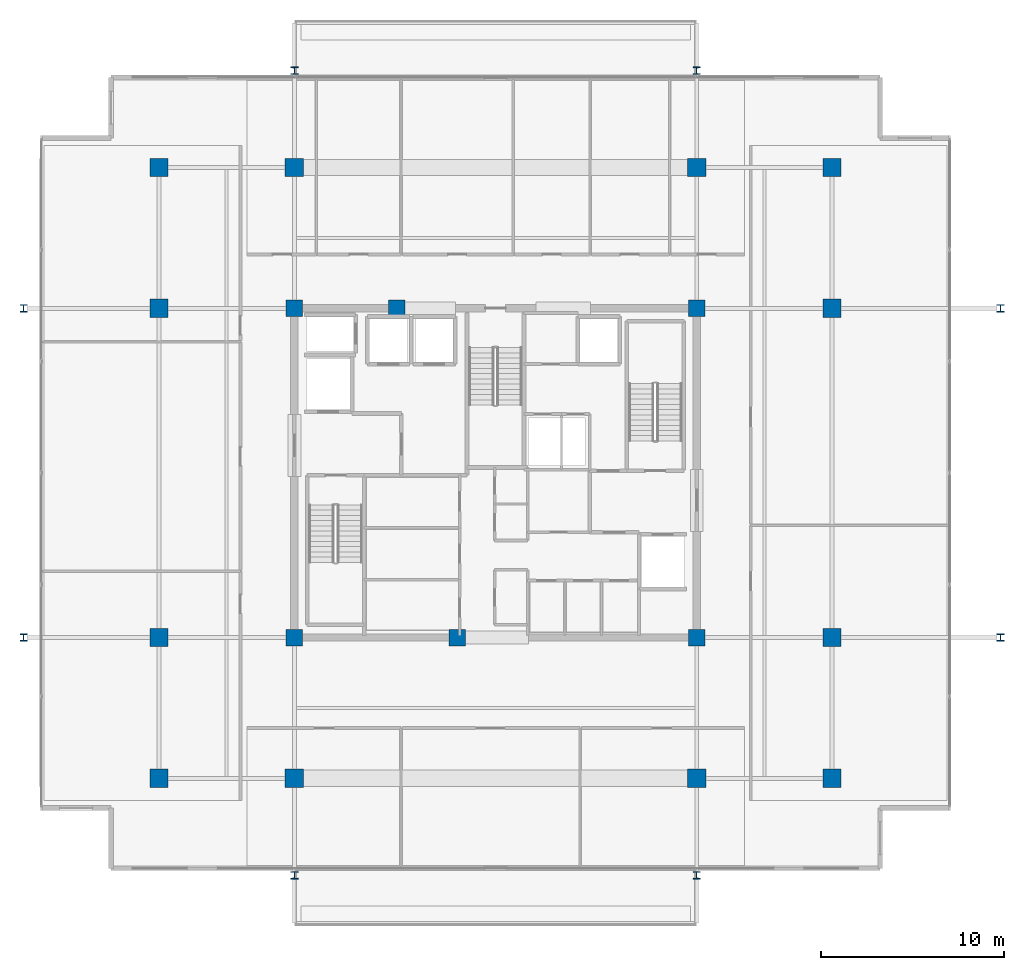
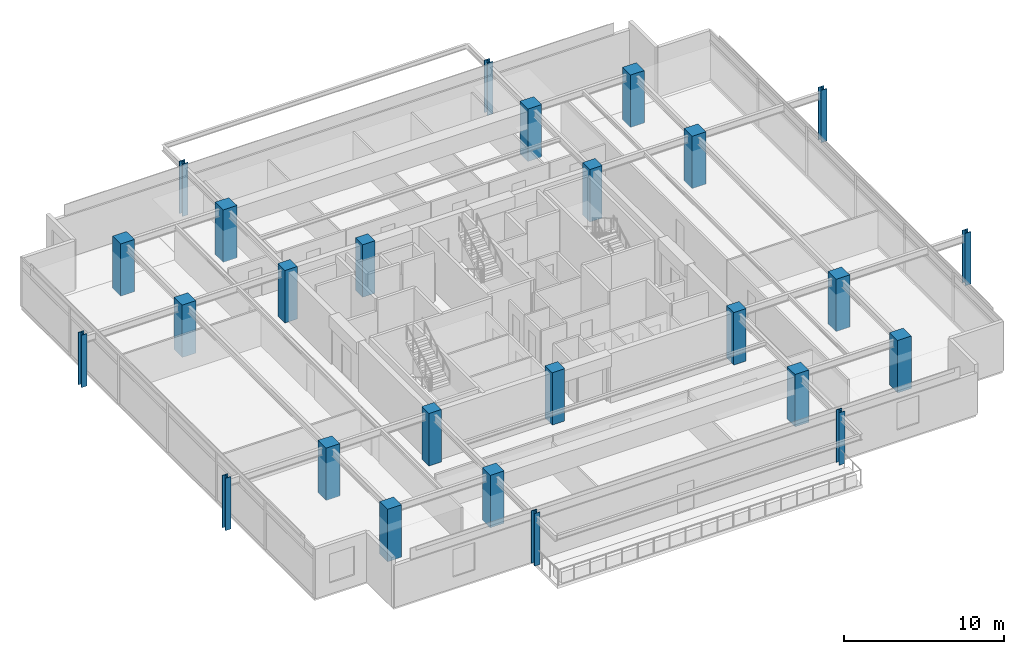
# One storey, part 1 of 20: 26 columns.
"""IFC4 building model written with IfcOpenShell, lengths in metres."""

from ifc_helpers import new_model, si_unit, direction, frame, origin, origin_2d, place, context, subcontext, project, spatial, rectangle, i_section, extrude, material, material_profile, profile_set, type_object, element, save


model = new_model("IFC4")

# Units and contexts
model_context = context("Model", 3, precision=1e-05, world=origin(), true_north=direction((0.0, 1.0)))
body_context = subcontext(model_context, "Body", "Model", "MODEL_VIEW")
ifc_project = project(units=[si_unit("LENGTHUNIT", "METRE"), si_unit("AREAUNIT", "SQUARE_METRE"), si_unit("VOLUMEUNIT", "CUBIC_METRE"), si_unit("PLANEANGLEUNIT", "RADIAN"), si_unit("MASSUNIT", "GRAM", prefix="KILO")], contexts=[model_context])

# Site, building, storey
site_placement = place(None, origin())
site = spatial("IfcSite", under=ifc_project, at=site_placement, CompositionType="ELEMENT")
building_placement = place(site_placement, origin())
building = spatial("IfcBuilding", under=site, at=building_placement, Name="Kovane Verandah Tower", CompositionType="ELEMENT")
storey_placement = place(building_placement, frame((0.0, 0.0, 318.800048828125)))
storey = spatial("IfcBuildingStorey", under=building, at=storey_placement, Name="L74", CompositionType="ELEMENT", Elevation=318.800048828125)

# Columns
ifc_material_1 = material(Name="Concrete C60/75", Category="concrete")
ifc_material_profile_1 = material_profile(ifc_material_1, rectangle(XDim=1.0, YDim=1.0, at=origin_2d()), Name="RC1000x1000")
ifc_profile_set_1 = profile_set([ifc_material_profile_1], Name="Concrete C60/75")
column_type_1 = type_object("IfcColumnType", Name="COL-RC1000", PredefinedType="COLUMN", material=ifc_profile_set_1)
for number, where, z_axis, x_axis, name in (
    (1, (29.0, 10.800048828125, 0.0), (0.0, 0.0, 1.0), (1.0, 0.0, 0.0), "L74 Tower Mega-Column MC-S1"),
    (2, (51.0, 10.800048828125, 0.0), (0.0, 0.0, 1.0), (1.0, 0.0, 0.0), "L74 Tower Mega-Column MC-S2"),
    (3, (29.0, 44.199951171875, 0.0), (0.0, 0.0, 1.0), (1.0, 0.0, 0.0), "L74 Tower Mega-Column MC-N1"),
    (4, (51.0, 44.199951171875, 0.0), (0.0, 0.0, 1.0), (1.0, 0.0, 0.0), "L74 Tower Mega-Column MC-N2"),
    (5, (21.60009765625, 18.5, 0.0), (0.0, 0.0, 1.0), (1.0, 0.0, 0.0), "L74 Tower Mega-Column MC-W1"),
    (6, (21.60009765625, 36.5, 0.0), (0.0, 0.0, 1.0), (1.0, 0.0, 0.0), "L74 Tower Mega-Column MC-W2"),
    (7, (58.39990234375, 18.5, 0.0), (0.0, 0.0, 1.0), (1.0, 0.0, 0.0), "L74 Tower Mega-Column MC-E1"),
    (8, (58.39990234375, 36.5, 0.0), (0.0, 0.0, 1.0), (1.0, 0.0, 0.0), "L74 Tower Mega-Column MC-E2"),
    (9, (21.60009765625, 10.800048828125, 0.0), (0.0, 0.0, 1.0), (1.0, 0.0, 0.0), "L74 Tower Mega-Column MC-SW"),
    (10, (58.39990234375, 10.800048828125, 0.0), (0.0, 0.0, 1.0), (1.0, 0.0, 0.0), "L74 Tower Mega-Column MC-SE"),
    (11, (21.60009765625, 44.199951171875, 0.0), (0.0, 0.0, 1.0), (1.0, 0.0, 0.0), "L74 Tower Mega-Column MC-NW"),
    (12, (58.39990234375, 44.199951171875, 0.0), (0.0, 0.0, 1.0), (1.0, 0.0, 0.0), "L74 Tower Mega-Column MC-NE"),
):
    element("IfcColumn", number, at=place(storey_placement, frame(where, z_axis=z_axis, x_axis=x_axis)), inside=storey, type_object=column_type_1, Name=name, PredefinedType="COLUMN", context=body_context, shape_type="SweptSolid", body=[
        extrude(rectangle(XDim=1.0, YDim=1.0, at=origin_2d()), origin(), (0.0, 0.0, 1.0), 4.0),
    ])
ifc_material_2 = material(Name="Steel S460", Category="steel")
ifc_material_profile_2 = material_profile(ifc_material_2, i_section(OverallWidth=0.403076171875, OverallDepth=0.406494140625, WebThickness=0.026611328125, FlangeThickness=0.04296875, FilletRadius=0.01513671875, at=origin_2d()), Name="UC356x406x340")
ifc_profile_set_2 = profile_set([ifc_material_profile_2], Name="Steel S460")
column_type_2 = type_object("IfcColumnType", Name="COL-UC340", PredefinedType="COLUMN", material=ifc_profile_set_2)
for number, where, z_axis, x_axis, name in (
    (13, (14.199951171875, 18.5, 0.0), (0.0, 0.0, 1.0), (1.0, 0.0, 0.0), "L74 Verandah Perimeter Column VC-W1"),
    (14, (14.199951171875, 36.5, 0.0), (0.0, 0.0, 1.0), (1.0, 0.0, 0.0), "L74 Verandah Perimeter Column VC-W2"),
    (15, (67.60009765625, 18.5, 0.0), (0.0, 0.0, 1.0), (1.0, 0.0, 0.0), "L74 Verandah Perimeter Column VC-E1"),
    (16, (67.60009765625, 36.5, 0.0), (0.0, 0.0, 1.0), (1.0, 0.0, 0.0), "L74 Verandah Perimeter Column VC-E2"),
    (17, (29.0, 5.5, 0.0), (0.0, 0.0, 1.0), (1.0, 0.0, 0.0), "L74 Verandah Perimeter Column VC-S1"),
    (18, (51.0, 5.5, 0.0), (0.0, 0.0, 1.0), (1.0, 0.0, 0.0), "L74 Verandah Perimeter Column VC-S2"),
    (19, (29.0, 49.5, 0.0), (0.0, 0.0, 1.0), (1.0, 0.0, 0.0), "L74 Verandah Perimeter Column VC-N1"),
    (20, (51.0, 49.5, 0.0), (0.0, 0.0, 1.0), (1.0, 0.0, 0.0), "L74 Verandah Perimeter Column VC-N2"),
):
    element("IfcColumn", number, at=place(storey_placement, frame(where, z_axis=z_axis, x_axis=x_axis)), inside=storey, type_object=column_type_2, Name=name, PredefinedType="COLUMN", context=body_context, shape_type="SweptSolid", body=[
        extrude(i_section(OverallWidth=0.403076171875, OverallDepth=0.406494140625, WebThickness=0.026611328125, FlangeThickness=0.04296875, FilletRadius=0.01513671875, at=origin_2d()), origin(), (0.0, 0.0, 1.0), 4.0),
    ])
ifc_material_profile_3 = material_profile(ifc_material_1, rectangle(XDim=0.89990234375, YDim=0.89990234375, at=origin_2d()), Name="RC900x900")
ifc_profile_set_3 = profile_set([ifc_material_profile_3], Name="Concrete C60/75")
column_type_3 = type_object("IfcColumnType", Name="PIL-RC900", PredefinedType="PILASTER", material=ifc_profile_set_3)
for number, where, z_axis, x_axis, name in (
    (21, (29.0, 18.5, 0.0), (0.0, 0.0, 1.0), (1.0, 0.0, 0.0), "L74 Core Pilaster CP-SW"),
    (22, (51.0, 18.5, 0.0), (0.0, 0.0, 1.0), (1.0, 0.0, 0.0), "L74 Core Pilaster CP-SE"),
    (23, (29.0, 36.5, 0.0), (0.0, 0.0, 1.0), (1.0, 0.0, 0.0), "L74 Core Pilaster CP-NW"),
    (24, (51.0, 36.5, 0.0), (0.0, 0.0, 1.0), (1.0, 0.0, 0.0), "L74 Core Pilaster CP-NE"),
    (25, (37.89990234375, 18.5, 0.0), (0.0, 0.0, 1.0), (1.0, 0.0, 0.0), "L74 Core Pilaster CP-S"),
    (26, (34.60009765625, 36.5, 0.0), (0.0, 0.0, 1.0), (1.0, 0.0, 0.0), "L74 Core Pilaster CP-N"),
):
    element("IfcColumn", number, at=place(storey_placement, frame(where, z_axis=z_axis, x_axis=x_axis)), inside=storey, type_object=column_type_3, Name=name, PredefinedType="PILASTER", context=body_context, shape_type="SweptSolid", body=[
        extrude(rectangle(XDim=0.89990234375, YDim=0.89990234375, at=origin_2d()), origin(), (0.0, 0.0, 1.0), 4.0),
    ])

save(model, "model.ifc")
